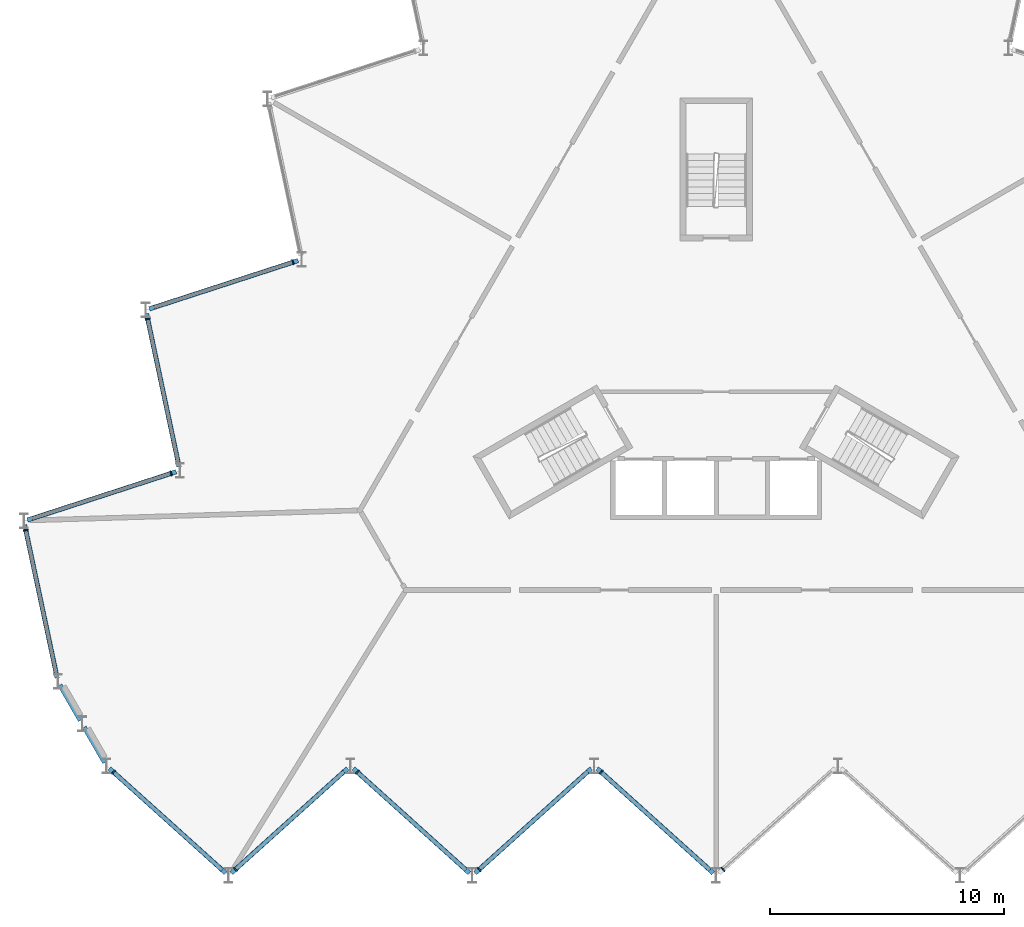
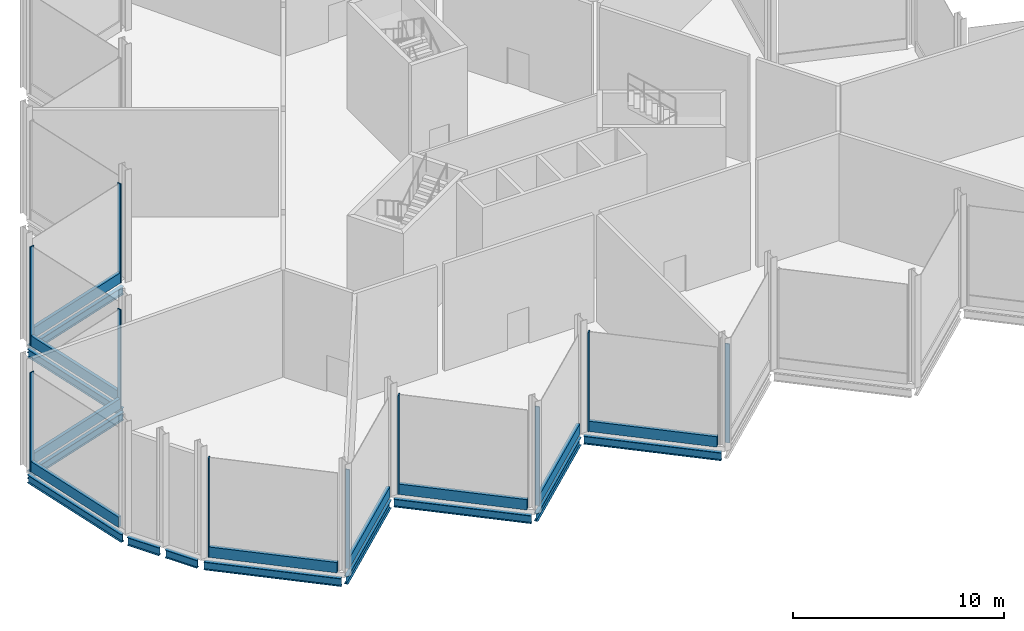
# One storey, part 4 of 12: 19 members, 11 beams, 10 elements without a shape of their own.
"""IFC4 building model written with IfcOpenShell, lengths in metres."""

import ifcopenshell
import ifcopenshell.guid

model = None  # the IFC model being written
_history = None  # IfcOwnerHistory: only IFC2X3 demands one
_inside = {}  # id of a spatial element -> (the spatial element, [elements in it])
_under = {}  # id of a project, library or spatial element -> (it, [spatial elements below it])
_declared = {}  # id of a project -> (the project, [libraries it declares])
_typed = {}  # id of a type object -> (the type object, [elements of that type])
_made_of = {}  # id of a material, layer set ... -> (it, [elements and type objects made of it])


def new_model(schema):
    """Start an empty IFC model of exactly this schema.

    Asked for "IFC4X3", IfcOpenShell would pick the latest addendum, in which some entities
    have other attributes; the version numbers below select the first issue.
    IFC2X3 requires an IfcOwnerHistory on every rooted entity: one is made here for all.
    """
    global model, _history
    if schema == "IFC4X3":
        model = ifcopenshell.file(schema_version=(4, 3, 0, 0))
    else:
        model = ifcopenshell.file(schema=schema)
    _inside.clear()
    _under.clear()
    _declared.clear()
    _typed.clear()
    _made_of.clear()
    _history = None
    if model.schema == "IFC2X3":
        org = make("IfcOrganization", Name="unknown")
        user = make(
            "IfcPersonAndOrganization",
            ThePerson=make("IfcPerson", FamilyName="unknown"),
            TheOrganization=org,
        )
        app = make(
            "IfcApplication",
            ApplicationDeveloper=org,
            Version="unknown",
            ApplicationFullName="unknown",
            ApplicationIdentifier="unknown",
        )
        _history = make(
            "IfcOwnerHistory",
            OwningUser=user,
            OwningApplication=app,
            ChangeAction="ADDED",
            CreationDate=0,
        )
    return model


def make(cls, **values):
    """One entity of the class cls with the attributes given. An attribute that is None is left unset."""
    return model.create_entity(
        cls, **{name: value for name, value in values.items() if value is not None}
    )


def rooted(cls, **values):
    """An entity with a GlobalId (a new one), such as an element, a storey or a relation."""
    return make(cls, GlobalId=ifcopenshell.guid.new(), OwnerHistory=_history, **values)


def si_unit(unit_type, name, prefix=None):
    """IfcSIUnit, for example si_unit("LENGTHUNIT", "METRE", prefix="MILLI")."""
    return make("IfcSIUnit", UnitType=unit_type, Prefix=prefix, Name=name)


def assignment(units):
    """IfcUnitAssignment: the units of a project."""
    return None if units is None else make("IfcUnitAssignment", Units=units)


def point(xyz):
    """IfcCartesianPoint."""
    return None if xyz is None else make("IfcCartesianPoint", Coordinates=xyz)


def direction(xyz):
    """IfcDirection."""
    return None if xyz is None else make("IfcDirection", DirectionRatios=xyz)


def frame(location, z_axis=None, x_axis=None):
    """IfcAxis2Placement3D, a coordinate frame: its origin and axes. An axis left out is left unset."""
    return make(
        "IfcAxis2Placement3D",
        Location=point(location),
        Axis=direction(z_axis),
        RefDirection=direction(x_axis),
    )


def frame_2d(location, x_axis=None):
    """IfcAxis2Placement2D, a coordinate frame in the plane: its origin and x axis."""
    return make(
        "IfcAxis2Placement2D", Location=point(location), RefDirection=direction(x_axis)
    )


def origin():
    """The frame at (0, 0, 0) with its axes left unset."""
    return frame((0.0, 0.0, 0.0))


def origin_2d():
    """The frame at (0, 0) in the plane with its x axis left unset."""
    return frame_2d((0.0, 0.0))


def place(relative_to, where):
    """IfcLocalPlacement: puts the frame where relative to a parent placement (None: the world)."""
    return make(
        "IfcLocalPlacement", PlacementRelTo=relative_to, RelativePlacement=where
    )


def context(
    kind, dimensions, precision=None, world=None, true_north=None, identifier=None
):
    """IfcGeometricRepresentationContext, for example the 3D "Model" context."""
    return make(
        "IfcGeometricRepresentationContext",
        ContextIdentifier=identifier,
        ContextType=kind,
        CoordinateSpaceDimension=dimensions,
        Precision=precision,
        WorldCoordinateSystem=world,
        TrueNorth=true_north,
    )


def subcontext(parent, identifier, kind, view, scale=None):
    """IfcGeometricRepresentationSubContext, for example "Body" below "Model"."""
    return make(
        "IfcGeometricRepresentationSubContext",
        ContextIdentifier=identifier,
        ContextType=kind,
        ParentContext=parent,
        TargetScale=scale,
        TargetView=view,
    )


def project(units=None, contexts=None):
    """IfcProject with its units and contexts."""
    return rooted(
        "IfcProject",
        Name="project",
        RepresentationContexts=contexts,
        UnitsInContext=assignment(units),
    )


def spatial(cls, under=None, at=None, **own):
    """A site, building, storey or space (cls), placed at a placement, below another one or the project."""
    s = rooted(cls, ObjectPlacement=at, **own)
    if under is not None:
        _under.setdefault(under.id(), (under, []))[1].append(s)
    return s


def profile(cls, at=None, kind="AREA", **sizes):
    """A parametric profile (cls). Its sizes go by their IFC names, for example OverallWidth=200.0."""
    return make(cls, ProfileType=kind, Position=at, **sizes)


def rectangle(**sizes):
    """IfcRectangleProfileDef."""
    return profile("IfcRectangleProfileDef", **sizes)


def i_section(**sizes):
    """IfcIShapeProfileDef."""
    return profile("IfcIShapeProfileDef", **sizes)


def extrude(swept, where, along, depth):
    """IfcExtrudedAreaSolid: the profile swept, set in the frame where, extruded along a direction by depth."""
    return make(
        "IfcExtrudedAreaSolid",
        SweptArea=swept,
        Position=where,
        ExtrudedDirection=direction(along),
        Depth=depth,
    )


def shape(context_of_items, identifier, shape_type, items):
    """IfcShapeRepresentation: the items that make up one representation, for example the "Body"."""
    return make(
        "IfcShapeRepresentation",
        ContextOfItems=context_of_items,
        RepresentationIdentifier=identifier,
        RepresentationType=shape_type,
        Items=items,
    )


def material(Name=None, Category=None):
    """IfcMaterial."""
    return make("IfcMaterial", Name=Name, Category=Category)


def layer(
    of_material, thickness, ventilated=None, Name=None, Category=None, Priority=None
):
    """IfcMaterialLayer: one layer of a wall or slab, of a material (None: an air gap)."""
    return make(
        "IfcMaterialLayer",
        Material=of_material,
        LayerThickness=thickness,
        IsVentilated=ventilated,
        Name=Name,
        Category=Category,
        Priority=Priority,
    )


def layer_set(layers, Name=None):
    """IfcMaterialLayerSet."""
    return make("IfcMaterialLayerSet", MaterialLayers=layers, LayerSetName=Name)


def material_profile(
    of_material, cross_section, Name=None, Category=None, Priority=None
):
    """IfcMaterialProfile: a cross section and its material."""
    return make(
        "IfcMaterialProfile",
        Name=Name,
        Material=of_material,
        Profile=cross_section,
        Priority=Priority,
        Category=Category,
    )


def profile_set(profiles, Name=None, composite=None):
    """IfcMaterialProfileSet."""
    return make(
        "IfcMaterialProfileSet",
        Name=Name,
        MaterialProfiles=profiles,
        CompositeProfile=composite,
    )


def made_of(thing, what):
    """Note that an element or type object is made of a material, layer set ...; save() writes the relation."""
    if what is not None:
        _made_of.setdefault(what.id(), (what, []))[1].append(thing)
    return thing


def type_object(cls, material=None, **own):
    """A type object (cls), such as IfcWallType, which elements share."""
    return made_of(rooted(cls, **own), material)


def element(
    cls,
    number,
    at=None,
    inside=None,
    cuts=None,
    type_object=None,
    material=None,
    context=None,
    identifier="Body",
    shape_type=None,
    held_by="IfcProductDefinitionShape",
    body=None,
    shapes=None,
    **own,
):
    """One element of the class cls, such as IfcWall. Its Tag is "e" and its number.

    at: its placement. inside: the storey or other place that contains it. cuts: it is an
    opening in that element (IfcRelVoidsElement). A single representation is given by context,
    identifier, shape_type and body (its items); several are given by shapes. held_by: the class
    of the entity that holds the representations. save() writes the other relations.
    """
    e = rooted(cls, Tag="e%d" % number, ObjectPlacement=at, **own)
    if body is not None:
        shapes = [shape(context, identifier, shape_type, body)]
    if shapes is not None:
        e.Representation = make(held_by, Representations=shapes)
    if inside is not None:
        _inside.setdefault(inside.id(), (inside, []))[1].append(e)
    if cuts is not None:
        rooted(
            "IfcRelVoidsElement", RelatingBuildingElement=cuts, RelatedOpeningElement=e
        )
    if type_object is not None:
        _typed.setdefault(type_object.id(), (type_object, []))[1].append(e)
    return made_of(e, material)


def aggregate(whole, parts):
    """IfcRelAggregates: a whole, such as a stair, and the parts it consists of."""
    return rooted("IfcRelAggregates", RelatingObject=whole, RelatedObjects=parts)


def save(model, path):
    """Write the relations noted so far, then the file.

    IfcRelAggregates (storeys below a building ...), IfcRelContainedInSpatialStructure (elements
    in a storey), IfcRelDefinesByType, IfcRelAssociatesMaterial and IfcRelDeclares: one each for
    every whole, place, type object, material and project.
    """
    for whole, parts in _under.values():
        aggregate(whole, parts)
    for where, things in _inside.values():
        rooted(
            "IfcRelContainedInSpatialStructure",
            RelatedElements=things,
            RelatingStructure=where,
        )
    for kind, things in _typed.values():
        rooted("IfcRelDefinesByType", RelatedObjects=things, RelatingType=kind)
    for what, things in _made_of.values():
        rooted("IfcRelAssociatesMaterial", RelatedObjects=things, RelatingMaterial=what)
    for by, libraries in _declared.values():
        rooted("IfcRelDeclares", RelatingContext=by, RelatedDefinitions=libraries)
    model.write(path)


model = new_model("IFC4")

# Units and contexts
model_context = context("Model", 3, precision=1e-05, world=origin(), true_north=direction((0.0, 1.0)))
body_context = subcontext(model_context, "Body", "Model", "MODEL_VIEW")
ifc_project = project(units=[si_unit("LENGTHUNIT", "METRE"), si_unit("AREAUNIT", "SQUARE_METRE"), si_unit("VOLUMEUNIT", "CUBIC_METRE"), si_unit("PLANEANGLEUNIT", "RADIAN"), si_unit("MASSUNIT", "GRAM", prefix="KILO")], contexts=[model_context])

# Site, building, storey
site_placement = place(None, origin())
site = spatial("IfcSite", under=ifc_project, at=site_placement, CompositionType="ELEMENT")
building_placement = place(site_placement, origin())
building = spatial("IfcBuilding", under=site, at=building_placement, Name="Cormorant Prow Tower", CompositionType="ELEMENT")
storey_placement = place(building_placement, frame((0.0, 0.0, 428.199951171875)))
storey = spatial("IfcBuildingStorey", under=building, at=storey_placement, Name="L96", CompositionType="ELEMENT", Elevation=428.199951171875)

# Curtain wall, member
ifc_material_1 = material(Name="Aluminium 6063-T6", Category="aluminium")
ifc_layer = layer(ifc_material_1, 0.219970703125)
ifc_layer_set = layer_set([ifc_layer], Name="Aluminium 6063-T6")
curtain_wall_type = type_object("IfcCurtainWallType", Name="Crown unitised curtain wall 220", PredefinedType="NOTDEFINED", material=ifc_layer_set)
curtain_wall_1_placement = place(storey_placement, origin())
curtain_wall_1 = element("IfcCurtainWall", 1, at=curtain_wall_1_placement, inside=storey, type_object=curtain_wall_type, Name="Crown curtain wall crown S00", PredefinedType="NOTDEFINED")
ifc_material_2 = material(Name="Aluminium 6063-T6", Category="aluminium")
ifc_material_profile_1 = material_profile(ifc_material_2, rectangle(XDim=0.219970703125, YDim=0.06005859375, at=origin_2d()), Name="Crown mullion 60x220")
ifc_profile_set_1 = profile_set([ifc_material_profile_1], Name="Aluminium 6063-T6")
member_type_1 = type_object("IfcMemberType", Name="Crown mullion 60x220", PredefinedType="MULLION", material=ifc_profile_set_1)
member_1_placement = place(storey_placement, frame((-25.705810546875, -17.670654296875, 0.0), z_axis=(0.0, 0.0, 1.0), x_axis=(0.669130603959, 0.743144827638, 0.0)))
member_1 = element("IfcMember", 2, at=member_1_placement, type_object=member_type_1, Name="Crown mullion crown S00", PredefinedType="MULLION", context=body_context, shape_type="SweptSolid", body=[
    extrude(rectangle(XDim=0.219970703125, YDim=0.06005859375, at=origin_2d()), origin(), (0.0, 0.0, 1.0), 5.73388671875),
])

curtain_wall_2_placement = place(storey_placement, origin())
curtain_wall_2 = element("IfcCurtainWall", 3, at=curtain_wall_2_placement, inside=storey, type_object=curtain_wall_type, Name="Crown curtain wall crown S01", PredefinedType="NOTDEFINED")
member_2_placement = place(storey_placement, frame((-20.505615234375, -21.82275390625, 0.0), z_axis=(0.0, 0.0, 1.0), x_axis=(-0.669130603959, 0.743144827638, 0.0)))
member_2 = element("IfcMember", 4, at=member_2_placement, type_object=member_type_1, Name="Crown mullion crown S01", PredefinedType="MULLION", context=body_context, shape_type="SweptSolid", body=[
    extrude(rectangle(XDim=0.219970703125, YDim=0.06005859375, at=origin_2d()), origin(), (0.0, 0.0, 1.0), 5.73388671875),
])

curtain_wall_3_placement = place(storey_placement, origin())
curtain_wall_3 = element("IfcCurtainWall", 5, at=curtain_wall_3_placement, inside=storey, type_object=curtain_wall_type, Name="Crown curtain wall crown S02", PredefinedType="NOTDEFINED")
member_3_placement = place(storey_placement, frame((-15.3056640625, -17.670654296875, 0.0), z_axis=(0.0, 0.0, 1.0), x_axis=(0.669130603959, 0.743144827638, 0.0)))
member_3 = element("IfcMember", 6, at=member_3_placement, type_object=member_type_1, Name="Crown mullion crown S02", PredefinedType="MULLION", context=body_context, shape_type="SweptSolid", body=[
    extrude(rectangle(XDim=0.219970703125, YDim=0.06005859375, at=origin_2d()), origin(), (0.0, 0.0, 1.0), 5.73388671875),
])

curtain_wall_4_placement = place(storey_placement, origin())
curtain_wall_4 = element("IfcCurtainWall", 7, at=curtain_wall_4_placement, inside=storey, type_object=curtain_wall_type, Name="Crown curtain wall crown S03", PredefinedType="NOTDEFINED")
member_4_placement = place(storey_placement, frame((-10.105712890625, -21.82275390625, 0.0), z_axis=(0.0, 0.0, 1.0), x_axis=(-0.669130603959, 0.743144827638, 0.0)))
member_4 = element("IfcMember", 8, at=member_4_placement, type_object=member_type_1, Name="Crown mullion crown S03", PredefinedType="MULLION", context=body_context, shape_type="SweptSolid", body=[
    extrude(rectangle(XDim=0.219970703125, YDim=0.06005859375, at=origin_2d()), origin(), (0.0, 0.0, 1.0), 5.73388671875),
])

curtain_wall_5_placement = place(storey_placement, origin())
curtain_wall_5 = element("IfcCurtainWall", 9, at=curtain_wall_5_placement, inside=storey, type_object=curtain_wall_type, Name="Crown curtain wall crown S04", PredefinedType="NOTDEFINED")
member_5_placement = place(storey_placement, frame((-4.90576171875, -17.670654296875, 0.0), z_axis=(0.0, 0.0, 1.0), x_axis=(0.669130603959, 0.743144827638, 0.0)))
member_5 = element("IfcMember", 10, at=member_5_placement, type_object=member_type_1, Name="Crown mullion crown S04", PredefinedType="MULLION", context=body_context, shape_type="SweptSolid", body=[
    extrude(rectangle(XDim=0.219970703125, YDim=0.06005859375, at=origin_2d()), origin(), (0.0, 0.0, 1.0), 5.73388671875),
])

curtain_wall_6_placement = place(storey_placement, origin())
curtain_wall_6 = element("IfcCurtainWall", 11, at=curtain_wall_6_placement, inside=storey, type_object=curtain_wall_type, Name="Crown curtain wall crown S05", PredefinedType="NOTDEFINED")
member_6_placement = place(storey_placement, frame((0.294189453125, -21.82275390625, 0.0), z_axis=(0.0, 0.0, 1.0), x_axis=(-0.669130603959, 0.743144827638, 0.0)))
member_6 = element("IfcMember", 12, at=member_6_placement, type_object=member_type_1, Name="Crown mullion crown S05", PredefinedType="MULLION", context=body_context, shape_type="SweptSolid", body=[
    extrude(rectangle(XDim=0.219970703125, YDim=0.06005859375, at=origin_2d()), origin(), (0.0, 0.0, 1.0), 5.73388671875),
])
aggregate(curtain_wall_6, [member_6])

curtain_wall_7_placement = place(storey_placement, origin())
curtain_wall_7 = element("IfcCurtainWall", 13, at=curtain_wall_7_placement, inside=storey, type_object=curtain_wall_type, Name="Crown curtain wall crown WNW06", PredefinedType="NOTDEFINED")
member_7_placement = place(storey_placement, frame((-18.050537109375, 4.0771484375, 0.0), z_axis=(0.0, 0.0, 1.0), x_axis=(0.309017066365, -0.951056492904, 0.0)))
member_7 = element("IfcMember", 14, at=member_7_placement, type_object=member_type_1, Name="Crown mullion crown WNW06", PredefinedType="MULLION", context=body_context, shape_type="SweptSolid", body=[
    extrude(rectangle(XDim=0.219970703125, YDim=0.06005859375, at=origin_2d()), origin(), (0.0, 0.0, 1.0), 5.73388671875),
])

curtain_wall_8_placement = place(storey_placement, origin())
curtain_wall_8 = element("IfcCurtainWall", 15, at=curtain_wall_8_placement, inside=storey, type_object=curtain_wall_type, Name="Crown curtain wall crown WNW07", PredefinedType="NOTDEFINED")
member_8_placement = place(storey_placement, frame((-24.246337890625, 1.64990234375, 0.0), z_axis=(0.0, 0.0, 1.0), x_axis=(0.978147615768, 0.207911620089, 0.0)))
member_8 = element("IfcMember", 16, at=member_8_placement, type_object=member_type_1, Name="Crown mullion crown WNW07", PredefinedType="MULLION", context=body_context, shape_type="SweptSolid", body=[
    extrude(rectangle(XDim=0.219970703125, YDim=0.06005859375, at=origin_2d()), origin(), (0.0, 0.0, 1.0), 5.73388671875),
])

curtain_wall_9_placement = place(storey_placement, origin())
curtain_wall_9 = element("IfcCurtainWall", 17, at=curtain_wall_9_placement, inside=storey, type_object=curtain_wall_type, Name="Crown curtain wall crown WNW08", PredefinedType="NOTDEFINED")
member_9_placement = place(storey_placement, frame((-23.25048828125, -4.929443359375, 0.0), z_axis=(0.0, 0.0, 1.0), x_axis=(0.309016937108, -0.951056534902, 0.0)))
member_9 = element("IfcMember", 18, at=member_9_placement, type_object=member_type_1, Name="Crown mullion crown WNW08", PredefinedType="MULLION", context=body_context, shape_type="SweptSolid", body=[
    extrude(rectangle(XDim=0.219970703125, YDim=0.06005859375, at=origin_2d()), origin(), (0.0, 0.0, 1.0), 5.73388671875),
])

curtain_wall_10_placement = place(storey_placement, origin())
curtain_wall_10 = element("IfcCurtainWall", 19, at=curtain_wall_10_placement, inside=storey, type_object=curtain_wall_type, Name="Crown curtain wall crown WNW09", PredefinedType="NOTDEFINED")
member_10_placement = place(storey_placement, frame((-29.4462890625, -7.356689453125, 0.0), z_axis=(0.0, 0.0, 1.0), x_axis=(0.978147615768, 0.207911620089, 0.0)))
member_10 = element("IfcMember", 20, at=member_10_placement, type_object=member_type_1, Name="Crown mullion crown WNW09", PredefinedType="MULLION", context=body_context, shape_type="SweptSolid", body=[
    extrude(rectangle(XDim=0.219970703125, YDim=0.06005859375, at=origin_2d()), origin(), (0.0, 0.0, 1.0), 5.73388671875),
])

# Beams
ifc_material_3 = material(Name="Structural steel ASTM A992 Gr 50", Category="steel")
ifc_material_profile_2 = material_profile(ifc_material_3, i_section(OverallWidth=0.19287109375, OverallDepth=0.466064453125, WebThickness=0.011474609375, FlangeThickness=0.01904296875, at=origin_2d()), Name="W18x65")
ifc_profile_set_2 = profile_set([ifc_material_profile_2], Name="Structural steel ASTM A992 Gr 50")
beam_type = type_object("IfcBeamType", Name="Crown ring beam W18x65", PredefinedType="SPANDREL", material=ifc_profile_set_2)
for number, where, z_axis, x_axis, name in (
    (21, (-25.878662109375, -17.514892578125, -0.532958984375), (0.743139440672, -0.669136586743, 0.0), (0.669136586743, 0.743139440672, 0.0), "Crown ring beam SB5 S00-S01 L96"),
    (22, (-20.6787109375, -21.978515625, -0.532958984375), (0.743139440672, 0.669136586743, 0.0), (-0.669136586743, 0.743139440672, 0.0), "Crown ring beam SB5 S01-S02 L96"),
):
    element("IfcBeam", number, at=place(storey_placement, frame(where, z_axis=z_axis, x_axis=x_axis)), inside=storey, type_object=beam_type, Name=name, PredefinedType="SPANDREL", context=body_context, shape_type="SweptSolid", body=[
        extrude(i_section(OverallWidth=0.19287109375, OverallDepth=0.466064453125, WebThickness=0.011474609375, FlangeThickness=0.01904296875, at=origin_2d()), origin(), (0.0, 0.0, 1.0), 6.670654296875),
    ])
beam_1_placement = place(storey_placement, frame((-15.478759765625, -17.514892578125, -0.532958984375), z_axis=(0.743155826906, -0.669118387832, 0.0), x_axis=(0.669118387832, 0.743155826906, 0.0)))
element("IfcBeam", 23, at=beam_1_placement, inside=storey, type_object=beam_type, Name="Crown ring beam SB5 S02-S03 L96", PredefinedType="SPANDREL", context=body_context, shape_type="SweptSolid", body=[
    extrude(i_section(OverallWidth=0.19287109375, OverallDepth=0.466064453125, WebThickness=0.011474609375, FlangeThickness=0.01904296875, at=origin_2d()), origin(), (0.0, 0.0, 1.0), 6.6708984375),
])
for number, where, z_axis, x_axis, name in (
    (24, (-10.278564453125, -21.978515625, -0.532958984375), (0.743139440672, 0.669136586743, 0.0), (-0.669136586743, 0.743139440672, 0.0), "Crown ring beam SB5 S03-S04 L96"),
    (25, (-5.07861328125, -17.514892578125, -0.532958984375), (0.743139440672, -0.669136586743, 0.0), (0.669136586743, 0.743139440672, 0.0), "Crown ring beam SB5 S04-S05 L96"),
    (26, (-17.8291015625, 4.149169921875, -0.532958984375), (-0.951049666898, -0.309038073858, 0.0), (0.309038073858, -0.951049666898, 0.0), "Crown ring beam SB5 WNW06-WNW07 L96"),
):
    element("IfcBeam", number, at=place(storey_placement, frame(where, z_axis=z_axis, x_axis=x_axis)), inside=storey, type_object=beam_type, Name=name, PredefinedType="SPANDREL", context=body_context, shape_type="SweptSolid", body=[
        extrude(i_section(OverallWidth=0.19287109375, OverallDepth=0.466064453125, WebThickness=0.011474609375, FlangeThickness=0.01904296875, at=origin_2d()), origin(), (0.0, 0.0, 1.0), 6.670654296875),
    ])
beam_2_placement = place(storey_placement, frame((-24.294677734375, 1.877685546875, -0.532958984375), z_axis=(0.207911717999, -0.978147594956, 0.0), x_axis=(0.978147594956, 0.207911717999, 0.0)))
element("IfcBeam", 27, at=beam_2_placement, inside=storey, type_object=beam_type, Name="Crown ring beam SB5 WNW07-WNW08 L96", PredefinedType="SPANDREL", context=body_context, shape_type="SweptSolid", body=[
    extrude(i_section(OverallWidth=0.19287109375, OverallDepth=0.466064453125, WebThickness=0.011474609375, FlangeThickness=0.01904296875, at=origin_2d()), origin(), (0.0, 0.0, 1.0), 6.6708984375),
])
for number, where, z_axis, x_axis, name in (
    (28, (-23.029052734375, -4.857666015625, -0.532958984375), (-0.95106042314, -0.309004970083, 0.0), (0.309004970083, -0.95106042314, 0.0), "Crown ring beam SB5 WNW08-WNW09 L96"),
    (29, (-29.49462890625, -7.129150390625, -0.532958984375), (0.207919161079, -0.978146012851, 0.0), (0.978146012851, 0.207919161079, 0.0), "Crown ring beam SB5 WNW09-WSW00 L96"),
):
    element("IfcBeam", number, at=place(storey_placement, frame(where, z_axis=z_axis, x_axis=x_axis)), inside=storey, type_object=beam_type, Name=name, PredefinedType="SPANDREL", context=body_context, shape_type="SweptSolid", body=[
        extrude(i_section(OverallWidth=0.19287109375, OverallDepth=0.466064453125, WebThickness=0.011474609375, FlangeThickness=0.01904296875, at=origin_2d()), origin(), (0.0, 0.0, 1.0), 6.670654296875),
    ])
for number, where, z_axis, x_axis, name in (
    (30, (-27.9921875, -13.955078125, -0.532958984375), (0.500061095026, -0.865990127681, 0.0), (0.865990127681, 0.500061095026, 0.0), "Crown ring beam SB5 WSW00-WSW01 L96"),
    (31, (-26.955322265625, -15.751220703125, -0.532958984375), (0.500061095026, -0.865990127681, 0.0), (0.865990127681, 0.500061095026, 0.0), "Crown ring beam SB5 WSW01-S00 L96"),
):
    element("IfcBeam", number, at=place(storey_placement, frame(where, z_axis=z_axis, x_axis=x_axis)), inside=storey, type_object=beam_type, Name=name, PredefinedType="SPANDREL", context=body_context, shape_type="SweptSolid", body=[
        extrude(i_section(OverallWidth=0.19287109375, OverallDepth=0.466064453125, WebThickness=0.011474609375, FlangeThickness=0.01904296875, at=origin_2d()), origin(), (0.0, 0.0, 1.0), 1.747314453125),
    ])

# Member
ifc_material_4 = material(Name="Terracotta", Category="masonry")
ifc_material_profile_3 = material_profile(ifc_material_4, rectangle(XDim=0.179931640625, YDim=0.60009765625, at=origin_2d()), Name="Crown terracotta spandrel rail 180x600")
ifc_profile_set_3 = profile_set([ifc_material_profile_3], Name="Terracotta")
member_type_2 = type_object("IfcMemberType", Name="Crown terracotta spandrel rail 180x600", PredefinedType="USERDEFINED", material=ifc_profile_set_3)
member_11_placement = place(storey_placement, frame((-25.683349609375, -17.690673828125, 0.300048828125), z_axis=(0.743121966202, -0.669155993285, 0.0), x_axis=(0.669155993285, 0.743121966202, 0.0)))
member_11 = element("IfcMember", 32, at=member_11_placement, type_object=member_type_2, Name="Crown spandrel rail crown S00", ObjectType="TRANSOM", PredefinedType="USERDEFINED", context=body_context, shape_type="SweptSolid", body=[
    extrude(rectangle(XDim=0.179931640625, YDim=0.60009765625, at=origin_2d()), origin(), (0.0, 0.0, 1.0), 6.205322265625),
])

aggregate(curtain_wall_1, [member_1, member_11])

member_12_placement = place(storey_placement, frame((-20.4833984375, -21.802734375, 0.300048828125), z_axis=(0.743141530577, 0.669134265699, 0.0), x_axis=(-0.669134265699, 0.743141530577, 0.0)))
member_12 = element("IfcMember", 33, at=member_12_placement, type_object=member_type_2, Name="Crown spandrel rail crown S01", ObjectType="TRANSOM", PredefinedType="USERDEFINED", context=body_context, shape_type="SweptSolid", body=[
    extrude(rectangle(XDim=0.179931640625, YDim=0.60009765625, at=origin_2d()), origin(), (0.0, 0.0, 1.0), 6.205078125),
])

aggregate(curtain_wall_2, [member_2, member_12])

member_13_placement = place(storey_placement, frame((-15.283447265625, -17.690673828125, 0.300048828125), z_axis=(0.743139582304, -0.669136429447, 0.0), x_axis=(0.669136429447, 0.743139582304, 0.0)))
member_13 = element("IfcMember", 34, at=member_13_placement, type_object=member_type_2, Name="Crown spandrel rail crown S02", ObjectType="TRANSOM", PredefinedType="USERDEFINED", context=body_context, shape_type="SweptSolid", body=[
    extrude(rectangle(XDim=0.179931640625, YDim=0.60009765625, at=origin_2d()), origin(), (0.0, 0.0, 1.0), 6.20556640625),
])

aggregate(curtain_wall_3, [member_3, member_13])

member_14_placement = place(storey_placement, frame((-10.08349609375, -21.802734375, 0.300048828125), z_axis=(0.743159145999, 0.669114701466, 0.0), x_axis=(-0.669114701466, 0.743159145999, 0.0)))
member_14 = element("IfcMember", 35, at=member_14_placement, type_object=member_type_2, Name="Crown spandrel rail crown S03", ObjectType="TRANSOM", PredefinedType="USERDEFINED", context=body_context, shape_type="SweptSolid", body=[
    extrude(rectangle(XDim=0.179931640625, YDim=0.60009765625, at=origin_2d()), origin(), (0.0, 0.0, 1.0), 6.205322265625),
])

aggregate(curtain_wall_4, [member_4, member_14])

member_15_placement = place(storey_placement, frame((-4.88330078125, -17.690673828125, 0.300048828125), z_axis=(0.743121966202, -0.669155993285, 0.0), x_axis=(0.669155993285, 0.743121966202, 0.0)))
member_15 = element("IfcMember", 36, at=member_15_placement, type_object=member_type_2, Name="Crown spandrel rail crown S04", ObjectType="TRANSOM", PredefinedType="USERDEFINED", context=body_context, shape_type="SweptSolid", body=[
    extrude(rectangle(XDim=0.179931640625, YDim=0.60009765625, at=origin_2d()), origin(), (0.0, 0.0, 1.0), 6.205322265625),
])

aggregate(curtain_wall_5, [member_5, member_15])

member_16_placement = place(storey_placement, frame((-18.078857421875, 4.06787109375, 0.300048828125), z_axis=(-0.951059797983, -0.309006894194, 0.0), x_axis=(0.309006894194, -0.951059797983, 0.0)))
member_16 = element("IfcMember", 37, at=member_16_placement, type_object=member_type_2, Name="Crown spandrel rail crown WNW06", ObjectType="TRANSOM", PredefinedType="USERDEFINED", context=body_context, shape_type="SweptSolid", body=[
    extrude(rectangle(XDim=0.179931640625, YDim=0.60009765625, at=origin_2d()), origin(), (0.0, 0.0, 1.0), 6.205322265625),
])

aggregate(curtain_wall_7, [member_7, member_16])

member_17_placement = place(storey_placement, frame((-24.239990234375, 1.62060546875, 0.300048828125), z_axis=(0.207889811544, -0.978152251061, 0.0), x_axis=(0.978152251061, 0.207889811544, 0.0)))
member_17 = element("IfcMember", 38, at=member_17_placement, type_object=member_type_2, Name="Crown spandrel rail crown WNW07", ObjectType="TRANSOM", PredefinedType="USERDEFINED", context=body_context, shape_type="SweptSolid", body=[
    extrude(rectangle(XDim=0.179931640625, YDim=0.60009765625, at=origin_2d()), origin(), (0.0, 0.0, 1.0), 6.205322265625),
])

aggregate(curtain_wall_8, [member_8, member_17])

member_18_placement = place(storey_placement, frame((-23.279052734375, -4.938720703125, 0.300048828125), z_axis=(-0.951056041011, -0.309018457145, 0.0), x_axis=(0.309018457145, -0.951056041011, 0.0)))
member_18 = element("IfcMember", 39, at=member_18_placement, type_object=member_type_2, Name="Crown spandrel rail crown WNW08", ObjectType="TRANSOM", PredefinedType="USERDEFINED", context=body_context, shape_type="SweptSolid", body=[
    extrude(rectangle(XDim=0.179931640625, YDim=0.60009765625, at=origin_2d()), origin(), (0.0, 0.0, 1.0), 6.205078125),
])

aggregate(curtain_wall_9, [member_9, member_18])

member_19_placement = place(storey_placement, frame((-29.43994140625, -7.385986328125, 0.300048828125), z_axis=(0.207889811544, -0.978152251061, 0.0), x_axis=(0.978152251061, 0.207889811544, 0.0)))
member_19 = element("IfcMember", 40, at=member_19_placement, type_object=member_type_2, Name="Crown spandrel rail crown WNW09", ObjectType="TRANSOM", PredefinedType="USERDEFINED", context=body_context, shape_type="SweptSolid", body=[
    extrude(rectangle(XDim=0.179931640625, YDim=0.60009765625, at=origin_2d()), origin(), (0.0, 0.0, 1.0), 6.205322265625),
])

aggregate(curtain_wall_10, [member_10, member_19])

save(model, "model.ifc")
